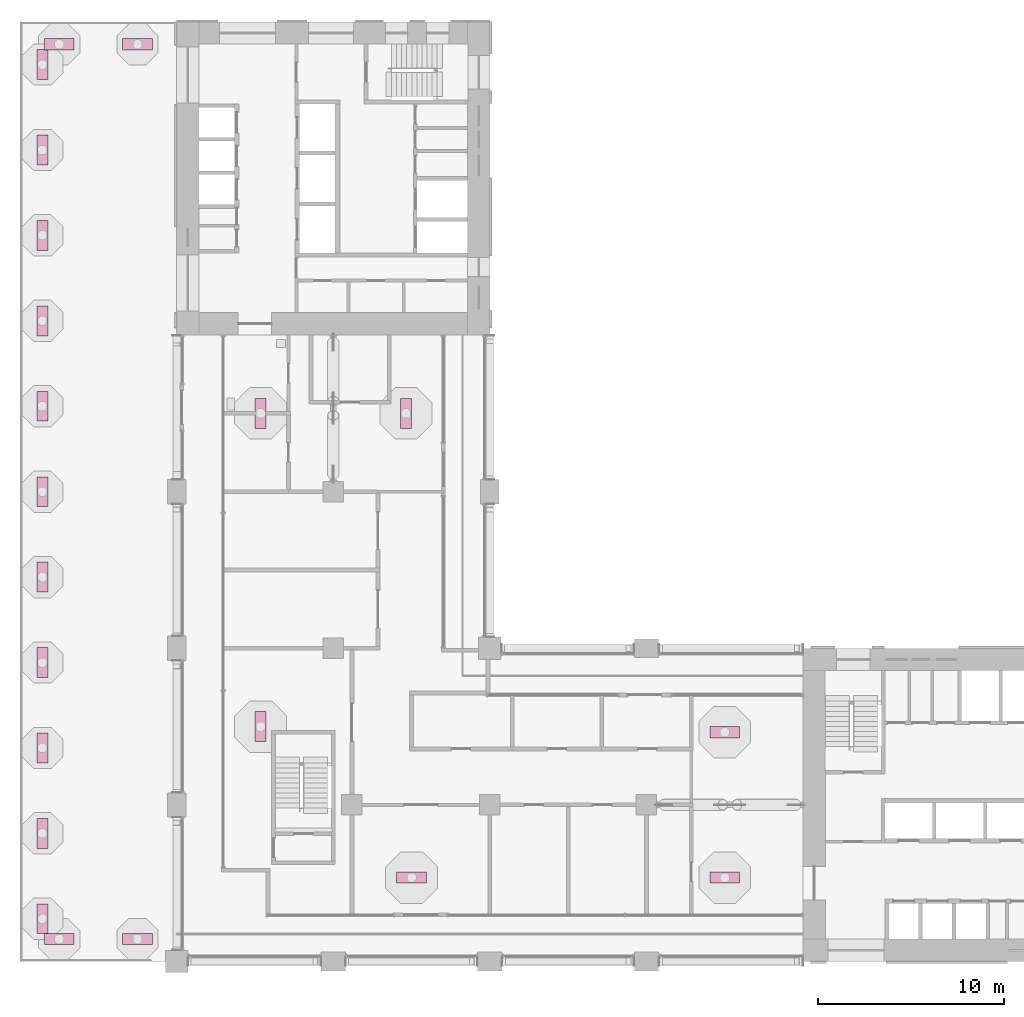
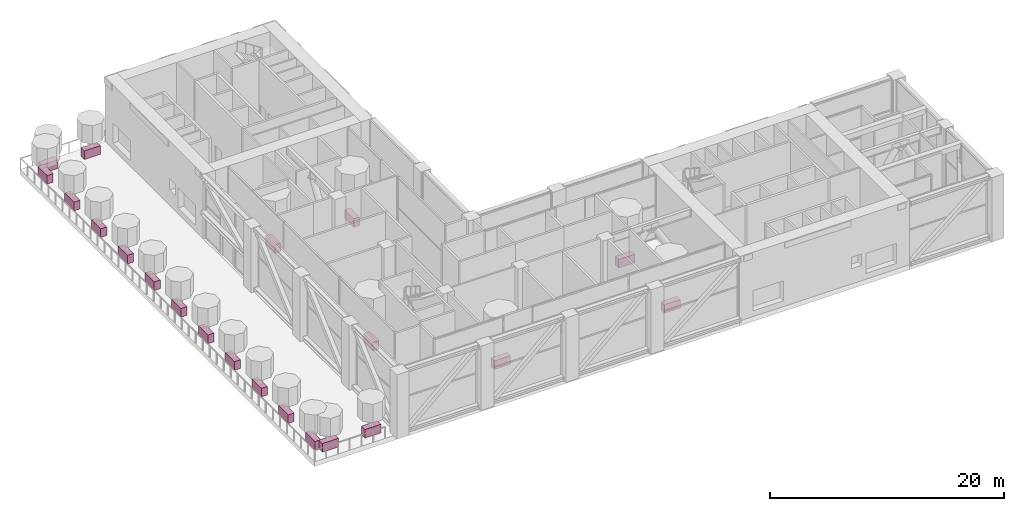
# One storey, part 21 of 22: 21 furniture elements.
"""IFC4 building model written with IfcOpenShell, lengths in metres."""

from ifc_helpers import new_model, si_unit, direction, frame, origin, origin_2d, place, context, subcontext, project, spatial, rectangle, extrude, material, element, save


model = new_model("IFC4")

# Units and contexts
model_context = context("Model", 3, precision=1e-05, world=origin(), true_north=direction((0.0, 1.0)))
body_context = subcontext(model_context, "Body", "Model", "MODEL_VIEW")
ifc_project = project(units=[si_unit("LENGTHUNIT", "METRE"), si_unit("AREAUNIT", "SQUARE_METRE"), si_unit("VOLUMEUNIT", "CUBIC_METRE"), si_unit("PLANEANGLEUNIT", "RADIAN"), si_unit("MASSUNIT", "GRAM", prefix="KILO")], contexts=[model_context])

# Site, building, storey
site_placement = place(None, origin())
site = spatial("IfcSite", under=ifc_project, at=site_placement, CompositionType="ELEMENT")
building_placement = place(site_placement, origin())
building = spatial("IfcBuilding", under=site, at=building_placement, Name="Vermilion Gate Residences", CompositionType="ELEMENT")
storey_placement = place(building_placement, frame((0.0, 0.0, 140.699951171875)))
storey = spatial("IfcBuildingStorey", under=building, at=storey_placement, Name="L36", CompositionType="ELEMENT", Elevation=140.699951171875)

# Furniture
ifc_material = material(Name="Terracotta planter", Category="masonry")
for number, where, z_axis, x_axis, name in (
    (1, (2.10009765625, 9.60009765625, 0.0), (0.0, 0.0, 1.0), (1.0, 0.0, 0.0), "PLANTER"),
    (2, (6.300048828125, 9.60009765625, 0.0), (0.0, 0.0, 1.0), (1.0, 0.0, 0.0), "PLANTER"),
    (3, (6.300048828125, 57.60009765625, 0.0), (0.0, 0.0, 1.0), (-1.0, 0.0, 0.0), "PLANTER"),
    (4, (2.10009765625, 57.60009765625, 0.0), (0.0, 0.0, 1.0), (-1.0, 0.0, 0.0), "PLANTER"),
    (5, (1.199951171875, 56.509033203125, 0.0), (0.0, 0.0, 1.0), (0.0, -1.0, 0.0), "PLANTER"),
    (6, (1.199951171875, 51.92724609375, 0.0), (0.0, 0.0, 1.0), (0.0, -1.0, 0.0), "PLANTER"),
    (7, (1.199951171875, 47.345458984375, 0.0), (0.0, 0.0, 1.0), (0.0, -1.0, 0.0), "PLANTER"),
    (8, (1.199951171875, 42.763671875, 0.0), (0.0, 0.0, 1.0), (0.0, -1.0, 0.0), "PLANTER"),
    (9, (1.199951171875, 38.181884765625, 0.0), (0.0, 0.0, 1.0), (0.0, -1.0, 0.0), "PLANTER"),
    (10, (1.199951171875, 33.60009765625, 0.0), (0.0, 0.0, 1.0), (0.0, -1.0, 0.0), "PLANTER"),
    (11, (1.199951171875, 29.018310546875, 0.0), (0.0, 0.0, 1.0), (0.0, -1.0, 0.0), "PLANTER"),
    (12, (1.199951171875, 24.436279296875, 0.0), (0.0, 0.0, 1.0), (0.0, -1.0, 0.0), "PLANTER"),
    (13, (1.199951171875, 19.8544921875, 0.0), (0.0, 0.0, 1.0), (0.0, -1.0, 0.0), "PLANTER"),
    (14, (1.199951171875, 15.272705078125, 0.0), (0.0, 0.0, 1.0), (0.0, -1.0, 0.0), "PLANTER"),
    (15, (1.199951171875, 10.69091796875, 0.0), (0.0, 0.0, 1.0), (0.0, -1.0, 0.0), "PLANTER"),
    (16, (12.89990234375, 21.0, 0.0), (0.0, 0.0, 1.0), (0.0, -1.0, 0.0), "PLANTER"),
    (17, (12.89990234375, 37.800048828125, 0.0), (0.0, 0.0, 1.0), (0.0, -1.0, 0.0), "PLANTER"),
    (18, (21.0, 12.89990234375, 0.0), (0.0, 0.0, 1.0), (1.0, 0.0, 0.0), "PLANTER"),
    (19, (37.800048828125, 12.89990234375, 0.0), (0.0, 0.0, 1.0), (1.0, 0.0, 0.0), "PLANTER"),
    (20, (37.800048828125, 20.699951171875, 0.0), (0.0, 0.0, 1.0), (-1.0, 0.0, 0.0), "PLANTER"),
    (21, (20.699951171875, 37.800048828125, 0.0), (0.0, 0.0, 1.0), (0.0, 1.0, 0.0), "PLANTER"),
):
    element("IfcFurniture", number, at=place(storey_placement, frame(where, z_axis=z_axis, x_axis=x_axis)), inside=storey, material=ifc_material, Name=name, ObjectType="PLANTER", PredefinedType="USERDEFINED", context=body_context, shape_type="SweptSolid", body=[
        extrude(rectangle(XDim=1.60009765625, YDim=0.60009765625, at=origin_2d()), origin(), (0.0, 0.0, 1.0), 0.89990234375),
    ])

save(model, "model.ifc")
